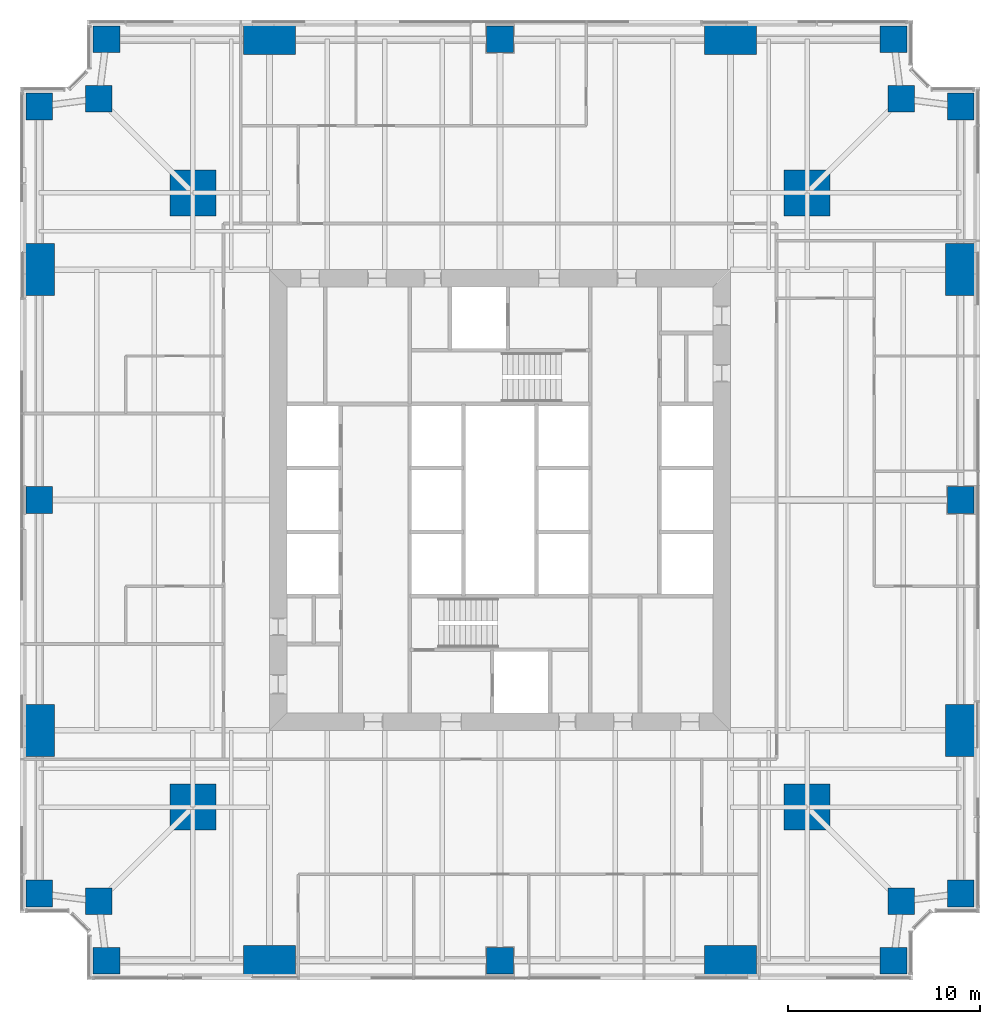
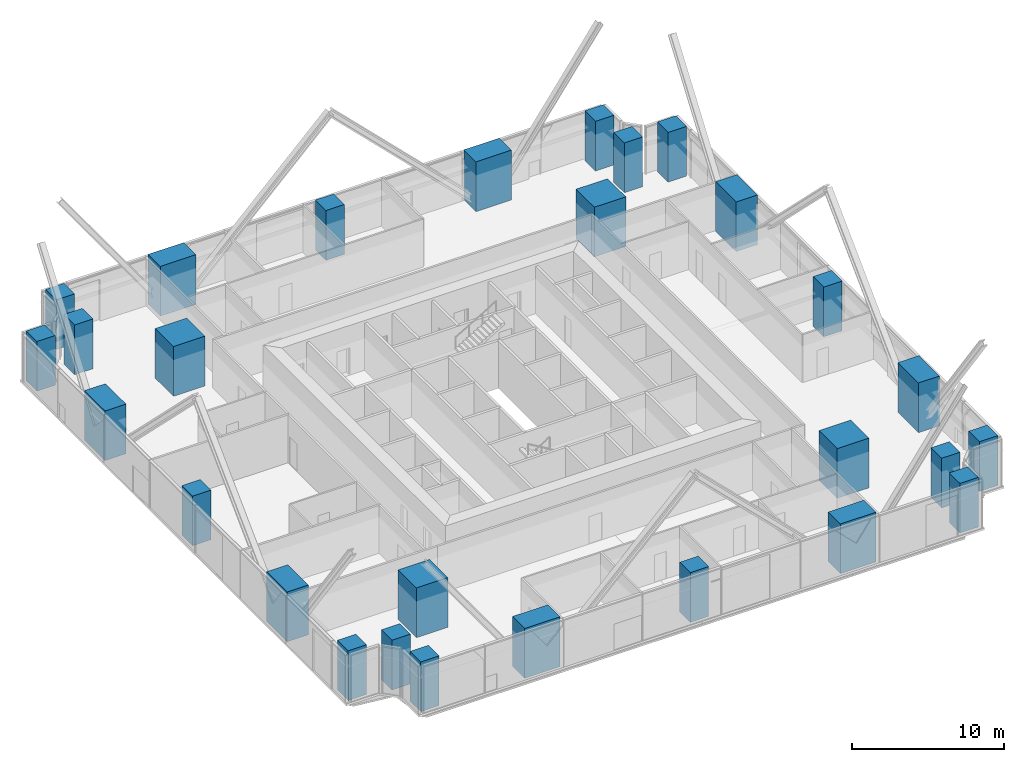
# One storey, part 1 of 14: 28 columns.
"""IFC4 building model written with IfcOpenShell, lengths in metres."""

from ifc_helpers import new_model, si_unit, direction, frame, origin, origin_2d, place, context, subcontext, project, spatial, rectangle, extrude, material, material_profile, profile_set, type_object, element, save


model = new_model("IFC4")

# Units and contexts
model_context = context("Model", 3, precision=1e-05, world=origin(), true_north=direction((0.0, 1.0)))
body_context = subcontext(model_context, "Body", "Model", "MODEL_VIEW")
ifc_project = project(units=[si_unit("LENGTHUNIT", "METRE"), si_unit("AREAUNIT", "SQUARE_METRE"), si_unit("VOLUMEUNIT", "CUBIC_METRE"), si_unit("PLANEANGLEUNIT", "RADIAN"), si_unit("MASSUNIT", "GRAM", prefix="KILO")], contexts=[model_context])

# Site, building, storey
site_placement = place(None, origin())
site = spatial("IfcSite", under=ifc_project, at=site_placement, CompositionType="ELEMENT")
building_placement = place(site_placement, origin())
building = spatial("IfcBuilding", under=site, at=building_placement, Name="Fenwick Lantern Interchange", CompositionType="ELEMENT")
storey_placement = place(building_placement, frame((0.0, 0.0, 79.0)))
storey = spatial("IfcBuildingStorey", under=building, at=storey_placement, Name="L18", CompositionType="ELEMENT", Elevation=79.0)

# Columns
ifc_material = material(Name="Concrete f'c 70 MPa", Category="concrete")
ifc_material_profile_1 = material_profile(ifc_material, rectangle(XDim=2.39990234375, YDim=2.39990234375, at=origin_2d()), Name="RC2400X2400")
ifc_profile_set_1 = profile_set([ifc_material_profile_1], Name="Concrete f'c 70 MPa")
column_type_1 = type_object("IfcColumnType", Name="MEGA COLUMN RC2400X2400", PredefinedType="COLUMN", material=ifc_profile_set_1)
for number, where, z_axis, x_axis, name in (
    (1, (9.0, 9.0, 0.0), (0.0, 0.0, 1.0), (1.0, 0.0, 0.0), "L18/M1"),
    (2, (41.0, 9.0, 0.0), (0.0, 0.0, 1.0), (1.0, 0.0, 0.0), "L18/M2"),
    (3, (41.0, 41.0, 0.0), (0.0, 0.0, 1.0), (1.0, 0.0, 0.0), "L18/M3"),
    (4, (9.0, 41.0, 0.0), (0.0, 0.0, 1.0), (1.0, 0.0, 0.0), "L18/M4"),
):
    element("IfcColumn", number, at=place(storey_placement, frame(where, z_axis=z_axis, x_axis=x_axis)), inside=storey, type_object=column_type_1, Name=name, PredefinedType="COLUMN", context=body_context, shape_type="SweptSolid", body=[
        extrude(rectangle(XDim=2.39990234375, YDim=2.39990234375, at=origin_2d()), origin(), (0.0, 0.0, 1.0), 4.0),
    ])
ifc_material_profile_2 = material_profile(ifc_material, rectangle(XDim=1.39990234375, YDim=1.39990234375, at=origin_2d()), Name="RC1400X1400")
ifc_profile_set_2 = profile_set([ifc_material_profile_2], Name="Concrete f'c 70 MPa")
column_type_2 = type_object("IfcColumnType", Name="PERIMETER COLUMN RC1400X1400", PredefinedType="COLUMN", material=ifc_profile_set_2)
for number, where, z_axis, x_axis, name in (
    (5, (4.5, 1.0, 0.0), (0.0, 0.0, 1.0), (1.0, 0.0, 0.0), "L18/CS1"),
    (6, (25.0, 1.0, 0.0), (0.0, 0.0, 1.0), (1.0, 0.0, 0.0), "L18/CS3"),
    (7, (45.5, 1.0, 0.0), (0.0, 0.0, 1.0), (1.0, 0.0, 0.0), "L18/CS5"),
    (8, (45.89990234375, 4.10009765625, 0.0), (0.0, 0.0, 1.0), (1.0, 0.0, 0.0), "L18/CSR"),
    (9, (49.0, 4.5, 0.0), (0.0, 0.0, 1.0), (1.0, 0.0, 0.0), "L18/CE1"),
    (10, (49.0, 25.0, 0.0), (0.0, 0.0, 1.0), (1.0, 0.0, 0.0), "L18/CE3"),
    (11, (49.0, 45.5, 0.0), (0.0, 0.0, 1.0), (1.0, 0.0, 0.0), "L18/CE5"),
    (12, (45.89990234375, 45.89990234375, 0.0), (0.0, 0.0, 1.0), (1.0, 0.0, 0.0), "L18/CER"),
    (13, (45.5, 49.0, 0.0), (0.0, 0.0, 1.0), (1.0, 0.0, 0.0), "L18/CN1"),
    (14, (25.0, 49.0, 0.0), (0.0, 0.0, 1.0), (1.0, 0.0, 0.0), "L18/CN3"),
    (15, (4.5, 49.0, 0.0), (0.0, 0.0, 1.0), (1.0, 0.0, 0.0), "L18/CN5"),
    (16, (4.10009765625, 45.89990234375, 0.0), (0.0, 0.0, 1.0), (1.0, 0.0, 0.0), "L18/CNR"),
    (17, (1.0, 45.5, 0.0), (0.0, 0.0, 1.0), (1.0, 0.0, 0.0), "L18/CW1"),
    (18, (1.0, 25.0, 0.0), (0.0, 0.0, 1.0), (1.0, 0.0, 0.0), "L18/CW3"),
    (19, (1.0, 4.5, 0.0), (0.0, 0.0, 1.0), (1.0, 0.0, 0.0), "L18/CW5"),
    (20, (4.10009765625, 4.10009765625, 0.0), (0.0, 0.0, 1.0), (1.0, 0.0, 0.0), "L18/CWR"),
):
    element("IfcColumn", number, at=place(storey_placement, frame(where, z_axis=z_axis, x_axis=x_axis)), inside=storey, type_object=column_type_2, Name=name, PredefinedType="COLUMN", context=body_context, shape_type="SweptSolid", body=[
        extrude(rectangle(XDim=1.39990234375, YDim=1.39990234375, at=origin_2d()), origin(), (0.0, 0.0, 1.0), 4.0),
    ])
ifc_material_profile_3 = material_profile(ifc_material, rectangle(XDim=1.60009765625, YDim=2.699951171875, at=origin_2d()), Name="RC1600X2700")
ifc_profile_set_3 = profile_set([ifc_material_profile_3], Name="Concrete f'c 70 MPa")
column_type_3 = type_object("IfcColumnType", Name="PERIMETER COLUMN RC1600X2700", PredefinedType="COLUMN", material=ifc_profile_set_3)
for number, where, z_axis, x_axis, name in (
    (21, (49.0, 13.0, 0.0), (0.0, 0.0, 1.0), (1.0, 0.0, 0.0), "L18/CE2"),
    (22, (49.0, 37.0, 0.0), (0.0, 0.0, 1.0), (1.0, 0.0, 0.0), "L18/CE4"),
    (23, (1.0, 37.0, 0.0), (0.0, 0.0, 1.0), (1.0, 0.0, 0.0), "L18/CW2"),
    (24, (1.0, 13.0, 0.0), (0.0, 0.0, 1.0), (1.0, 0.0, 0.0), "L18/CW4"),
):
    element("IfcColumn", number, at=place(storey_placement, frame(where, z_axis=z_axis, x_axis=x_axis)), inside=storey, type_object=column_type_3, Name=name, PredefinedType="COLUMN", context=body_context, shape_type="SweptSolid", body=[
        extrude(rectangle(XDim=1.60009765625, YDim=2.699951171875, at=origin_2d()), origin(), (0.0, 0.0, 1.0), 4.0),
    ])
ifc_material_profile_4 = material_profile(ifc_material, rectangle(XDim=2.699951171875, YDim=1.60009765625, at=origin_2d()), Name="RC2700X1600")
ifc_profile_set_4 = profile_set([ifc_material_profile_4], Name="Concrete f'c 70 MPa")
column_type_4 = type_object("IfcColumnType", Name="PERIMETER COLUMN RC2700X1600", PredefinedType="COLUMN", material=ifc_profile_set_4)
for number, where, z_axis, x_axis, name in (
    (25, (13.0, 1.0, 0.0), (0.0, 0.0, 1.0), (1.0, 0.0, 0.0), "L18/CS2"),
    (26, (37.0, 1.0, 0.0), (0.0, 0.0, 1.0), (1.0, 0.0, 0.0), "L18/CS4"),
    (27, (37.0, 49.0, 0.0), (0.0, 0.0, 1.0), (1.0, 0.0, 0.0), "L18/CN2"),
    (28, (13.0, 49.0, 0.0), (0.0, 0.0, 1.0), (1.0, 0.0, 0.0), "L18/CN4"),
):
    element("IfcColumn", number, at=place(storey_placement, frame(where, z_axis=z_axis, x_axis=x_axis)), inside=storey, type_object=column_type_4, Name=name, PredefinedType="COLUMN", context=body_context, shape_type="SweptSolid", body=[
        extrude(rectangle(XDim=2.699951171875, YDim=1.60009765625, at=origin_2d()), origin(), (0.0, 0.0, 1.0), 4.0),
    ])

save(model, "model.ifc")
